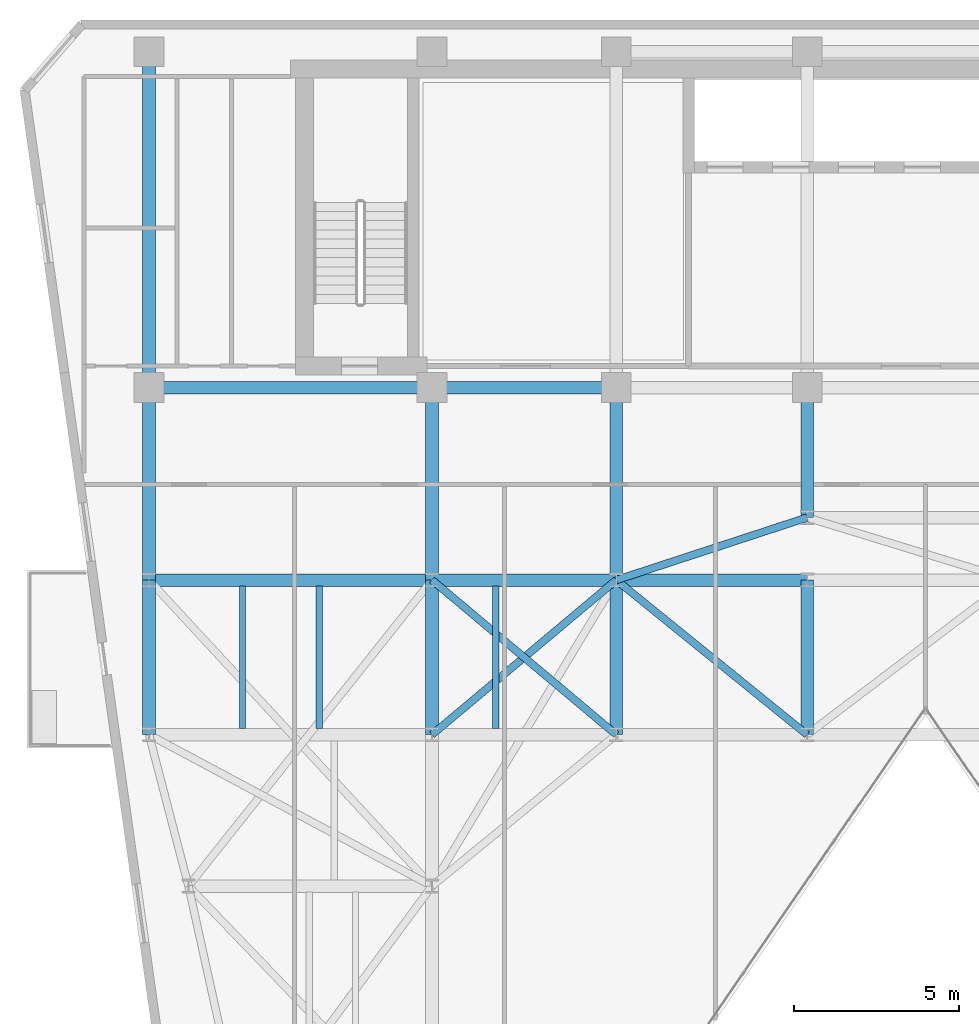
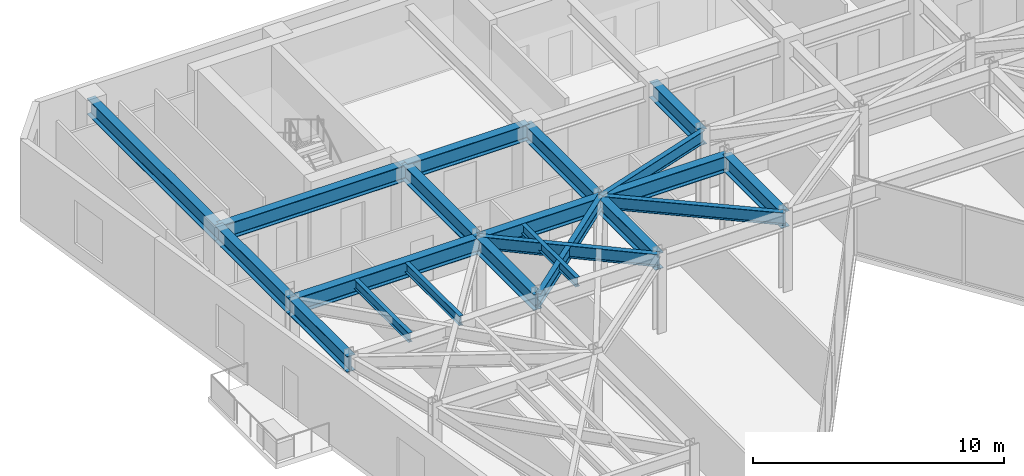
# One storey, part 7 of 21: 21 beams.
"""IFC4 building model written with IfcOpenShell, lengths in metres."""

from ifc_helpers import new_model, si_unit, direction, frame, origin, origin_2d, place, context, subcontext, project, spatial, i_section, extrude, material, material_profile, profile_set, type_object, element, save


model = new_model("IFC4")

# Units and contexts
model_context = context("Model", 3, precision=1e-05, world=origin(), true_north=direction((0.0, 1.0)))
body_context = subcontext(model_context, "Body", "Model", "MODEL_VIEW")
ifc_project = project(units=[si_unit("LENGTHUNIT", "METRE"), si_unit("AREAUNIT", "SQUARE_METRE"), si_unit("VOLUMEUNIT", "CUBIC_METRE"), si_unit("PLANEANGLEUNIT", "RADIAN"), si_unit("MASSUNIT", "GRAM", prefix="KILO")], contexts=[model_context])

# Site, building, storey
site_placement = place(None, origin())
site = spatial("IfcSite", under=ifc_project, at=site_placement, CompositionType="ELEMENT")
building_placement = place(site_placement, origin())
building = spatial("IfcBuilding", under=site, at=building_placement, Name="Kravanh Interchange Tower", CompositionType="ELEMENT")
storey_placement = place(building_placement, frame((0.0, 0.0, 184.5)))
storey = spatial("IfcBuildingStorey", under=building, at=storey_placement, Name="L44", CompositionType="ELEMENT", Elevation=184.5)

# Beams
ifc_material_1 = material(Name="Structural Steel S355", Category="steel")
ifc_material_profile_1 = material_profile(ifc_material_1, i_section(OverallWidth=0.381103515625, OverallDepth=0.77294921875, WebThickness=0.0166015625, FlangeThickness=0.027099609375, FilletRadius=0.02490234375, at=origin_2d()), Name="W30X173")
ifc_profile_set_1 = profile_set([ifc_material_profile_1], Name="Structural Steel S355")
beam_type_1 = type_object("IfcBeamType", Name="Floor Beam W30X173 Structural Steel S355", PredefinedType="BEAM", material=ifc_profile_set_1)
beam_1_placement = place(storey_placement, frame((38.60009765625, 37.35009765625, 3.368408203125), z_axis=(0.0, -1.0, 0.0), x_axis=(1.0, 0.0, 0.0)))
element("IfcBeam", 1, at=beam_1_placement, inside=storey, type_object=beam_type_1, Name="L44 Primary Floor Girder 16", PredefinedType="BEAM", context=body_context, shape_type="SweptSolid", body=[
    extrude(i_section(OverallWidth=0.381103515625, OverallDepth=0.77294921875, WebThickness=0.0166015625, FlangeThickness=0.027099609375, FilletRadius=0.02490234375, at=origin_2d()), origin(), (0.0, 0.0, 1.0), 3.9501953125),
])
beam_2_placement = place(storey_placement, frame((32.800048828125, 37.35009765625, 3.368408203125), z_axis=(-1.0, 0.0, 0.0), x_axis=(0.0, -1.0, 0.0)))
element("IfcBeam", 2, at=beam_2_placement, inside=storey, type_object=beam_type_1, Name="L44 Primary Floor Girder 20", PredefinedType="BEAM", context=body_context, shape_type="SweptSolid", body=[
    extrude(i_section(OverallWidth=0.381103515625, OverallDepth=0.77294921875, WebThickness=0.0166015625, FlangeThickness=0.027099609375, FilletRadius=0.02490234375, at=origin_2d()), origin(), (0.0, 0.0, 1.0), 5.60009765625),
])
for number, where, z_axis, x_axis, name in (
    (3, (32.800048828125, 37.35009765625, 3.368408203125), (0.0, -1.0, 0.0), (1.0, 0.0, 0.0), "L44 Primary Floor Girder 21"),
    (4, (27.199951171875, 37.35009765625, 3.368408203125), (0.0, -1.0, 0.0), (1.0, 0.0, 0.0), "L44 Primary Floor Girder 24"),
):
    element("IfcBeam", number, at=place(storey_placement, frame(where, z_axis=z_axis, x_axis=x_axis)), inside=storey, type_object=beam_type_1, Name=name, PredefinedType="BEAM", context=body_context, shape_type="SweptSolid", body=[
        extrude(i_section(OverallWidth=0.381103515625, OverallDepth=0.77294921875, WebThickness=0.0166015625, FlangeThickness=0.027099609375, FilletRadius=0.02490234375, at=origin_2d()), origin(), (0.0, 0.0, 1.0), 5.85009765625),
    ])
beam_3_placement = place(storey_placement, frame((27.199951171875, 37.35009765625, 3.368408203125), z_axis=(-1.0, 0.0, 0.0), x_axis=(0.0, -1.0, 0.0)))
element("IfcBeam", 5, at=beam_3_placement, inside=storey, type_object=beam_type_1, Name="L44 Primary Floor Girder 25", PredefinedType="BEAM", context=body_context, shape_type="SweptSolid", body=[
    extrude(i_section(OverallWidth=0.381103515625, OverallDepth=0.77294921875, WebThickness=0.0166015625, FlangeThickness=0.027099609375, FilletRadius=0.02490234375, at=origin_2d()), origin(), (0.0, 0.0, 1.0), 8.599853515625),
])
beam_4_placement = place(storey_placement, frame((18.60009765625, 37.35009765625, 3.368408203125), z_axis=(0.0, -1.0, 0.0), x_axis=(1.0, 0.0, 0.0)))
element("IfcBeam", 6, at=beam_4_placement, inside=storey, type_object=beam_type_1, Name="L44 Primary Floor Girder 28", PredefinedType="BEAM", context=body_context, shape_type="SweptSolid", body=[
    extrude(i_section(OverallWidth=0.381103515625, OverallDepth=0.77294921875, WebThickness=0.0166015625, FlangeThickness=0.027099609375, FilletRadius=0.02490234375, at=origin_2d()), origin(), (0.0, 0.0, 1.0), 5.85009765625),
])
beam_5_placement = place(storey_placement, frame((18.60009765625, 37.35009765625, 3.368408203125), z_axis=(0.0, 1.0, 0.0), x_axis=(-1.0, 0.0, 0.0)))
element("IfcBeam", 7, at=beam_5_placement, inside=storey, type_object=beam_type_1, Name="L44 Primary Floor Girder 29", PredefinedType="BEAM", context=body_context, shape_type="SweptSolid", body=[
    extrude(i_section(OverallWidth=0.381103515625, OverallDepth=0.77294921875, WebThickness=0.0166015625, FlangeThickness=0.027099609375, FilletRadius=0.02490234375, at=origin_2d()), origin(), (0.0, 0.0, 1.0), 10.199951171875),
])
for number, where, z_axis, x_axis, name in (
    (8, (18.60009765625, 26.800048828125, 3.368408203125), (0.0, 1.0, 0.0), (-1.0, 0.0, 0.0), "L44 Primary Floor Girder 33"),
    (9, (27.199951171875, 26.800048828125, 3.368408203125), (0.0, 1.0, 0.0), (-1.0, 0.0, 0.0), "L44 Primary Floor Girder 38"),
    (10, (32.800048828125, 26.800048828125, 3.368408203125), (0.0, 1.0, 0.0), (-1.0, 0.0, 0.0), "L44 Primary Floor Girder 41"),
    (11, (38.60009765625, 26.800048828125, 3.368408203125), (0.0, 1.0, 0.0), (-1.0, 0.0, 0.0), "L44 Primary Floor Girder 45"),
):
    element("IfcBeam", number, at=place(storey_placement, frame(where, z_axis=z_axis, x_axis=x_axis)), inside=storey, type_object=beam_type_1, Name=name, PredefinedType="BEAM", context=body_context, shape_type="SweptSolid", body=[
        extrude(i_section(OverallWidth=0.381103515625, OverallDepth=0.77294921875, WebThickness=0.0166015625, FlangeThickness=0.027099609375, FilletRadius=0.02490234375, at=origin_2d()), origin(), (0.0, 0.0, 1.0), 4.699951171875),
    ])
beam_6_placement = place(storey_placement, frame((18.60009765625, 31.5, 3.368408203125), z_axis=(1.0, 0.0, 0.0), x_axis=(0.0, 1.0, 0.0)))
element("IfcBeam", 12, at=beam_6_placement, inside=storey, type_object=beam_type_1, Name="L44 Primary Floor Girder 61", PredefinedType="BEAM", context=body_context, shape_type="SweptSolid", body=[
    extrude(i_section(OverallWidth=0.381103515625, OverallDepth=0.77294921875, WebThickness=0.0166015625, FlangeThickness=0.027099609375, FilletRadius=0.02490234375, at=origin_2d()), origin(), (0.0, 0.0, 1.0), 8.599853515625),
])
beam_7_placement = place(storey_placement, frame((27.199951171875, 31.5, 3.368408203125), z_axis=(1.0, 0.0, 0.0), x_axis=(0.0, 1.0, 0.0)))
element("IfcBeam", 13, at=beam_7_placement, inside=storey, type_object=beam_type_1, Name="L44 Primary Floor Girder 64", PredefinedType="BEAM", context=body_context, shape_type="SweptSolid", body=[
    extrude(i_section(OverallWidth=0.381103515625, OverallDepth=0.77294921875, WebThickness=0.0166015625, FlangeThickness=0.027099609375, FilletRadius=0.02490234375, at=origin_2d()), origin(), (0.0, 0.0, 1.0), 5.60009765625),
])
beam_8_placement = place(storey_placement, frame((32.800048828125, 31.5, 3.368408203125), z_axis=(1.0, 0.0, 0.0), x_axis=(0.0, 1.0, 0.0)))
element("IfcBeam", 14, at=beam_8_placement, inside=storey, type_object=beam_type_1, Name="L44 Primary Floor Girder 67", PredefinedType="BEAM", context=body_context, shape_type="SweptSolid", body=[
    extrude(i_section(OverallWidth=0.381103515625, OverallDepth=0.77294921875, WebThickness=0.0166015625, FlangeThickness=0.027099609375, FilletRadius=0.02490234375, at=origin_2d()), origin(), (0.0, 0.0, 1.0), 5.800048828125),
])
ifc_material_2 = material(Name="Structural Steel S355", Category="steel")
ifc_material_profile_2 = material_profile(ifc_material_2, i_section(OverallWidth=0.18994140625, OverallDepth=0.45703125, WebThickness=0.009033203125, FlangeThickness=0.014404296875, FilletRadius=0.01806640625, at=origin_2d()), Name="W18X50")
ifc_profile_set_2 = profile_set([ifc_material_profile_2], Name="Structural Steel S355")
beam_type_2 = type_object("IfcBeamType", Name="Floor Joist W18X50 Structural Steel S355", PredefinedType="JOIST", material=ifc_profile_set_2)
for number, where, z_axis, x_axis, name in (
    (15, (21.43994140625, 26.985595703125, 3.526611328125), (0.0, 1.0, 0.0), (-1.0, 0.0, 0.0), "L44 Secondary Floor Joist 9"),
    (16, (23.77587890625, 26.985595703125, 3.526611328125), (0.0, 1.0, 0.0), (-1.0, 0.0, 0.0), "L44 Secondary Floor Joist 10"),
    (17, (29.139892578125, 26.985595703125, 3.526611328125), (0.0, 1.0, 0.0), (-1.0, 0.0, 0.0), "L44 Secondary Floor Joist 11"),
):
    element("IfcBeam", number, at=place(storey_placement, frame(where, z_axis=z_axis, x_axis=x_axis)), inside=storey, type_object=beam_type_2, Name=name, PredefinedType="JOIST", context=body_context, shape_type="SweptSolid", body=[
        extrude(i_section(OverallWidth=0.18994140625, OverallDepth=0.45703125, WebThickness=0.009033203125, FlangeThickness=0.014404296875, FilletRadius=0.01806640625, at=origin_2d()), origin(), (0.0, 0.0, 1.0), 4.328857421875),
    ])
ifc_material_3 = material(Name="Structural Steel S355", Category="steel")
ifc_material_profile_3 = material_profile(ifc_material_3, i_section(OverallWidth=0.22802734375, OverallDepth=0.60791015625, WebThickness=0.01123046875, FlangeThickness=0.017333984375, FilletRadius=0.02197265625, at=origin_2d()), Name="W24X76")
ifc_profile_set_3 = profile_set([ifc_material_profile_3], Name="Structural Steel S355")
beam_type_3 = type_object("IfcBeamType", Name="Floor Spandrel W24X76 Structural Steel S355", PredefinedType="SPANDREL", material=ifc_profile_set_3)
for number, where, z_axis, x_axis, name in (
    (18, (27.199951171875, 26.800048828125, 3.450927734375), (0.765983062929, 0.642860752657, 0.0), (-0.642860752657, 0.765983062929, 0.0), "L44 Perimeter Spandrel 40"),
    (19, (32.800048828125, 26.800048828125, 3.450927734375), (-0.765983062929, 0.642860752657, 0.0), (-0.642860752657, -0.765983062929, 0.0), "L44 Perimeter Spandrel 44"),
):
    element("IfcBeam", number, at=place(storey_placement, frame(where, z_axis=z_axis, x_axis=x_axis)), inside=storey, type_object=beam_type_3, Name=name, PredefinedType="SPANDREL", context=body_context, shape_type="SweptSolid", body=[
        extrude(i_section(OverallWidth=0.22802734375, OverallDepth=0.60791015625, WebThickness=0.01123046875, FlangeThickness=0.017333984375, FilletRadius=0.02197265625, at=origin_2d()), origin(), (0.0, 0.0, 1.0), 7.31103515625),
    ])
beam_9_placement = place(storey_placement, frame((38.60009765625, 26.800048828125, 3.450927734375), z_axis=(-0.776938619557, 0.629576350764, 0.0), x_axis=(-0.629576350764, -0.776938619557, 0.0)))
element("IfcBeam", 20, at=beam_9_placement, inside=storey, type_object=beam_type_3, Name="L44 Perimeter Spandrel 46", PredefinedType="SPANDREL", context=body_context, shape_type="SweptSolid", body=[
    extrude(i_section(OverallWidth=0.22802734375, OverallDepth=0.60791015625, WebThickness=0.01123046875, FlangeThickness=0.017333984375, FilletRadius=0.02197265625, at=origin_2d()), origin(), (0.0, 0.0, 1.0), 7.46533203125),
])
beam_10_placement = place(storey_placement, frame((32.800048828125, 31.5, 3.450927734375), z_axis=(0.950314536578, 0.31129131303, 0.0), x_axis=(-0.31129131303, 0.950314536578, 0.0)))
element("IfcBeam", 21, at=beam_10_placement, inside=storey, type_object=beam_type_3, Name="L44 Perimeter Spandrel 68", PredefinedType="SPANDREL", context=body_context, shape_type="SweptSolid", body=[
    extrude(i_section(OverallWidth=0.22802734375, OverallDepth=0.60791015625, WebThickness=0.01123046875, FlangeThickness=0.017333984375, FilletRadius=0.02197265625, at=origin_2d()), origin(), (0.0, 0.0, 1.0), 6.103271484375),
])

save(model, "model.ifc")
